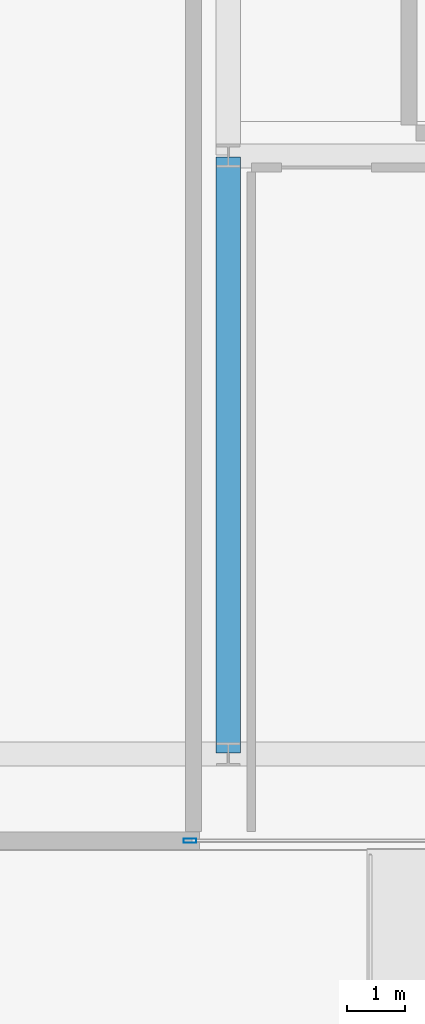
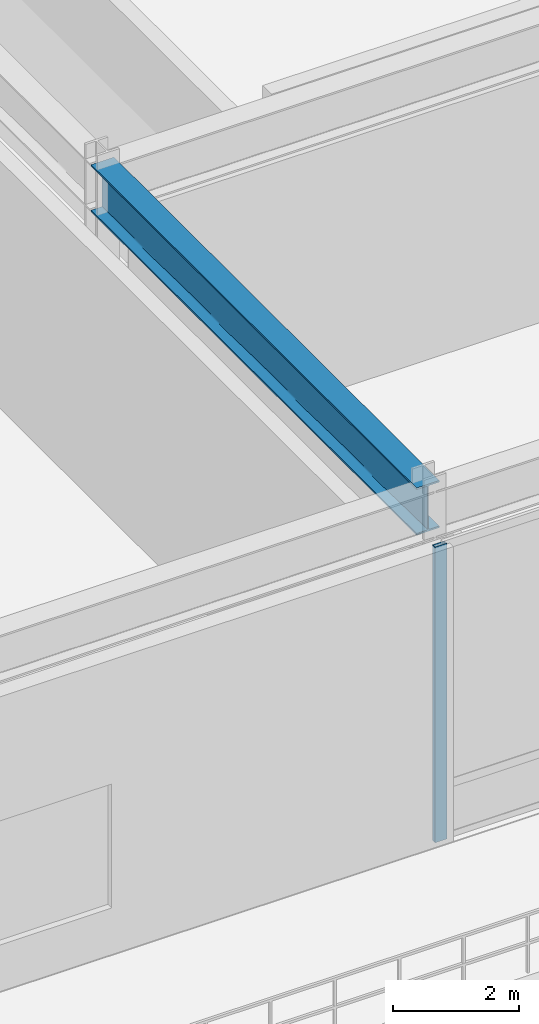
# One storey, part 4 of 17: 1 beam, 1 member, 1 element without a shape of its own.
"""IFC4 building model written with IfcOpenShell, lengths in metres."""

from ifc_helpers import new_model, si_unit, direction, frame, origin, origin_2d, place, context, subcontext, project, spatial, hollow_rectangle, i_section, extrude, source, transform, mapped, material, layer, layer_set, material_profile, profile_set, type_object, type_shapes, element, aggregate, save


model = new_model("IFC4")

# Units and contexts
model_context = context("Model", 3, precision=1e-05, world=origin(), true_north=direction((0.0, 1.0)))
body_context = subcontext(model_context, "Body", "Model", "MODEL_VIEW")
ifc_project = project(units=[si_unit("LENGTHUNIT", "METRE"), si_unit("AREAUNIT", "SQUARE_METRE"), si_unit("VOLUMEUNIT", "CUBIC_METRE"), si_unit("PLANEANGLEUNIT", "RADIAN"), si_unit("MASSUNIT", "GRAM", prefix="KILO")], contexts=[model_context])

# Site, building, storey
site_placement = place(None, origin())
site = spatial("IfcSite", under=ifc_project, at=site_placement, CompositionType="ELEMENT")
building_placement = place(site_placement, origin())
building = spatial("IfcBuilding", under=site, at=building_placement, Name="Varnel Quay Broadcast Tower", CompositionType="ELEMENT")
storey_placement = place(building_placement, origin())
storey = spatial("IfcBuildingStorey", under=building, at=storey_placement, Name="L00", CompositionType="ELEMENT", Elevation=0.0)

# Beam
ifc_material_1 = material(Name="Structural Steel CSA G40.21 350W", Category="steel")
ifc_material_profile_1 = material_profile(ifc_material_1, i_section(OverallWidth=0.41796875, OverallDepth=0.912109375, WebThickness=0.019287109375, FlangeThickness=0.031982421875, FilletRadius=0.02197265625, at=origin_2d()), Name="W920X342")
ifc_profile_set_1 = profile_set([ifc_material_profile_1], Name="Structural Steel CSA G40.21 350W")
beam_type = type_object("IfcBeamType", Name="Girder_W920X342", PredefinedType="BEAM", material=ifc_profile_set_1)
shared_shape_1 = source(origin(), body_context, "Body", "SweptSolid", [
    extrude(i_section(OverallWidth=0.41796875, OverallDepth=0.912109375, WebThickness=0.019287109375, FlangeThickness=0.031982421875, FilletRadius=0.02197265625, at=origin_2d()), origin(), (0.0, 0.0, 1.0), 10.31005859375),
])
type_shapes(beam_type, [shared_shape_1])
beam_placement = place(storey_placement, frame((22.0, 1.669921875, 5.263916015625), z_axis=(0.0, 1.0, 0.0), x_axis=(-1.0, 0.0, 0.0)))
element("IfcBeam", 1, at=beam_placement, inside=storey, type_object=beam_type, Name="L00 Girder G-M1", PredefinedType="BEAM", context=body_context, shape_type="MappedRepresentation", body=[
    mapped(shared_shape_1, transform((0.0, 0.0, 0.0), x_axis=(1.0, 0.0, 0.0), y_axis=(0.0, 1.0, 0.0), z_axis=(0.0, 0.0, 1.0), scale=1.0)),
])

# Curtain wall, member
ifc_material_2 = material(Name="Anodised Bronze Aluminium 6063-T6", Category="aluminium")
ifc_layer = layer(ifc_material_2, 0.18994140625, Name="Anodised Bronze Aluminium 6063-T6")
ifc_layer_set = layer_set([ifc_layer], Name="Anodised Bronze Aluminium 6063-T6")
curtain_wall_type = type_object("IfcCurtainWallType", Name="CW_PodiumForum", PredefinedType="NOTDEFINED", material=ifc_layer_set)
curtain_wall_placement = place(storey_placement, origin())
curtain_wall = element("IfcCurtainWall", 2, at=curtain_wall_placement, inside=storey, type_object=curtain_wall_type, Name="L00 Waterfront Forum West Glazing", PredefinedType="NOTDEFINED")
ifc_material_profile_2 = material_profile(ifc_material_2, hollow_rectangle(XDim=0.074951171875, YDim=0.219970703125, WallThickness=0.00390625, at=origin_2d()), Name="ALU75X220X4")
ifc_profile_set_2 = profile_set([ifc_material_profile_2], Name="Anodised Bronze Aluminium 6063-T6")
member_type = type_object("IfcMemberType", Name="Mull_CWS-01", PredefinedType="MULLION", material=ifc_profile_set_2)
shared_shape_2 = source(origin(), body_context, "Body", "SweptSolid", [
    extrude(hollow_rectangle(XDim=0.074951171875, YDim=0.219970703125, WallThickness=0.00390625, at=origin_2d()), origin(), (0.0, 0.0, 1.0), 5.719970703125),
])
type_shapes(member_type, [shared_shape_2])
member_placement = place(storey_placement, frame((21.33740234375, 0.14990234375, 0.0), z_axis=(0.0, 0.0, 1.0), x_axis=(0.0, 1.0, 0.0)))
member = element("IfcMember", 3, at=member_placement, type_object=member_type, Name="CWS-01 mullion 1", PredefinedType="MULLION", context=body_context, shape_type="MappedRepresentation", body=[
    mapped(shared_shape_2, transform((0.0, 0.0, 0.0), x_axis=(1.0, 0.0, 0.0), y_axis=(0.0, 1.0, 0.0), z_axis=(0.0, 0.0, 1.0), scale=1.0)),
])
aggregate(curtain_wall, [member])

save(model, "model.ifc")
